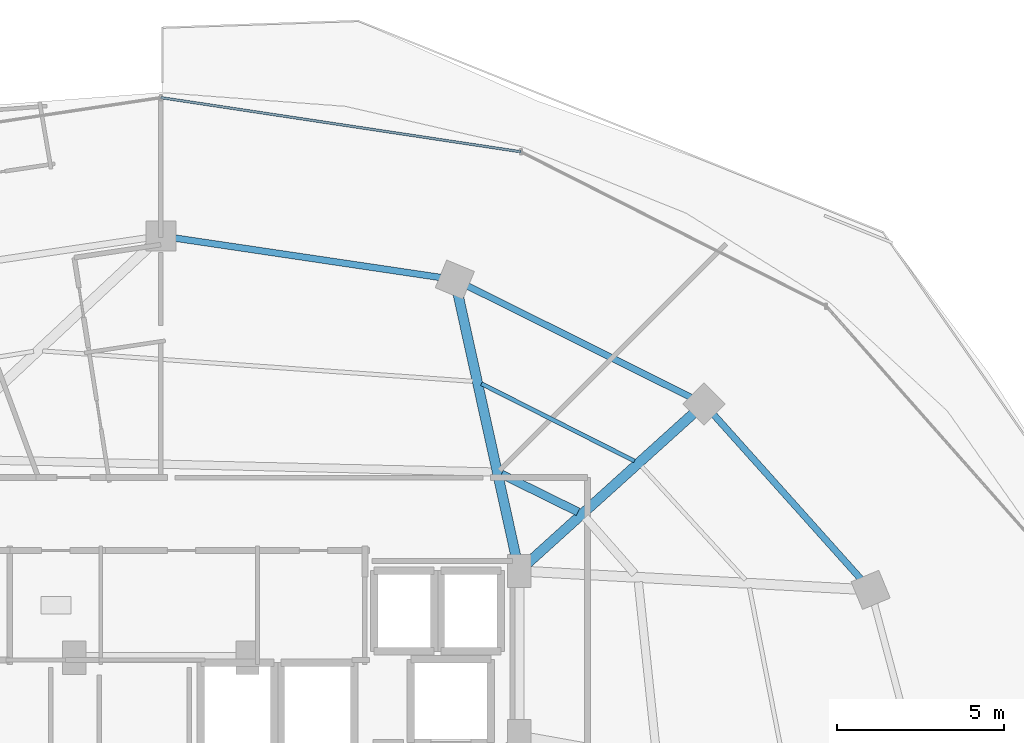
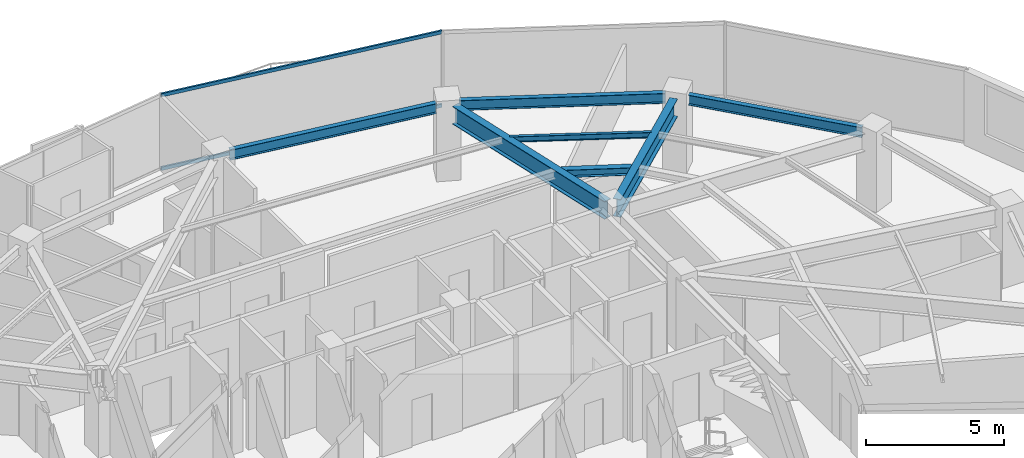
# One storey, part 20 of 33: 7 beams, 2 members, 1 element without a shape of its own.
"""IFC4 building model written with IfcOpenShell, lengths in metres."""

from ifc_helpers import new_model, si_unit, direction, frame, origin, origin_2d, place, context, subcontext, project, spatial, hollow_rectangle, i_section, extrude, material, material_profile, profile_set, type_object, element, aggregate, save


model = new_model("IFC4")

# Units and contexts
model_context = context("Model", 3, precision=1e-05, world=origin(), true_north=direction((0.0, 1.0)))
body_context = subcontext(model_context, "Body", "Model", "MODEL_VIEW")
ifc_project = project(units=[si_unit("LENGTHUNIT", "METRE"), si_unit("AREAUNIT", "SQUARE_METRE"), si_unit("VOLUMEUNIT", "CUBIC_METRE"), si_unit("PLANEANGLEUNIT", "RADIAN"), si_unit("MASSUNIT", "GRAM", prefix="KILO")], contexts=[model_context])

# Site, building, storey
site_placement = place(None, origin())
site = spatial("IfcSite", under=ifc_project, at=site_placement, CompositionType="ELEMENT")
building_placement = place(site_placement, origin())
building = spatial("IfcBuilding", under=site, at=building_placement, Name="Vorneva Point Tower", CompositionType="ELEMENT")
storey_placement = place(building_placement, frame((0.0, 0.0, 200.10009765625)))
storey = spatial("IfcBuildingStorey", under=building, at=storey_placement, Name="L54", CompositionType="ELEMENT", Elevation=200.10009765625)

# Beams
ifc_material_1 = material(Name="Steel S355", Category="steel")
ifc_material_profile_1 = material_profile(ifc_material_1, i_section(OverallWidth=0.300048828125, OverallDepth=0.7880859375, WebThickness=0.014404296875, FlangeThickness=0.02197265625, at=origin_2d()), Name="80Sh1")
ifc_profile_set_1 = profile_set([ifc_material_profile_1], Name="Steel S355")
beam_type_1 = type_object("IfcBeamType", Name="BM-GRD-80Sh1", PredefinedType="USERDEFINED", material=ifc_profile_set_1)
beam_1_placement = place(storey_placement, frame((53.973876953125, 37.86865234375, 2.89599609375), z_axis=(-0.742089778537, -0.670300500217, 0.0), x_axis=(0.670300500217, -0.742089778537, 0.0)))
element("IfcBeam", 1, at=beam_1_placement, inside=storey, type_object=beam_type_1, Name="L54 Radial Primary Girder 03", ObjectType="GIRDER", PredefinedType="USERDEFINED", context=body_context, shape_type="SweptSolid", body=[
    extrude(i_section(OverallWidth=0.300048828125, OverallDepth=0.7880859375, WebThickness=0.014404296875, FlangeThickness=0.02197265625, at=origin_2d()), origin(), (0.0, 0.0, 1.0), 6.699462890625),
])
beam_2_placement = place(storey_placement, frame((46.915283203125, 41.462890625, 2.89599609375), z_axis=(0.215522758292, -0.976498817541, 0.0), x_axis=(0.976498817541, 0.215522758292, 0.0)))
element("IfcBeam", 2, at=beam_2_placement, inside=storey, type_object=beam_type_1, Name="L54 Radial Primary Girder 04", ObjectType="GIRDER", PredefinedType="USERDEFINED", context=body_context, shape_type="SweptSolid", body=[
    extrude(i_section(OverallWidth=0.300048828125, OverallDepth=0.7880859375, WebThickness=0.014404296875, FlangeThickness=0.02197265625, at=origin_2d()), origin(), (0.0, 0.0, 1.0), 8.173095703125),
])
ifc_material_profile_2 = material_profile(ifc_material_1, i_section(OverallWidth=0.1240234375, OverallDepth=0.248046875, WebThickness=0.0048828125, FlangeThickness=0.008056640625, at=origin_2d()), Name="25B1")
ifc_profile_set_2 = profile_set([ifc_material_profile_2], Name="Steel S355")
beam_type_2 = type_object("IfcBeamType", Name="BM-JST-25B1", PredefinedType="JOIST", material=ifc_profile_set_2)
beam_3_placement = place(storey_placement, frame((52.2099609375, 36.448974609375, 3.166015625), z_axis=(-0.892634985647, 0.450780192997, 0.0), x_axis=(-0.450780192997, -0.892634985647, 0.0)))
element("IfcBeam", 3, at=beam_3_placement, inside=storey, type_object=beam_type_2, Name="L54 Secondary Floor Beam 1.03", PredefinedType="JOIST", context=body_context, shape_type="SweptSolid", body=[
    extrude(i_section(OverallWidth=0.1240234375, OverallDepth=0.248046875, WebThickness=0.0048828125, FlangeThickness=0.008056640625, at=origin_2d()), origin(), (0.0, 0.0, 1.0), 5.142333984375),
])
ifc_material_profile_3 = material_profile(ifc_material_1, i_section(OverallWidth=0.2490234375, OverallDepth=0.333984375, WebThickness=0.008056640625, FlangeThickness=0.010986328125, at=origin_2d()), Name="35Sh1")
ifc_profile_set_3 = profile_set([ifc_material_profile_3], Name="Steel S355")
beam_type_3 = type_object("IfcBeamType", Name="BM-SEC-35Sh1", PredefinedType="BEAM", material=ifc_profile_set_3)
beam_4_placement = place(storey_placement, frame((50.51904296875, 34.9208984375, 3.122802734375), z_axis=(-0.896926742139, 0.442179170965, 0.0), x_axis=(-0.442179170965, -0.896926742139, 0.0)))
element("IfcBeam", 4, at=beam_4_placement, inside=storey, type_object=beam_type_3, Name="L54 Secondary Floor Beam 2.03", PredefinedType="BEAM", context=body_context, shape_type="SweptSolid", body=[
    extrude(i_section(OverallWidth=0.2490234375, OverallDepth=0.333984375, WebThickness=0.008056640625, FlangeThickness=0.010986328125, at=origin_2d()), origin(), (0.0, 0.0, 1.0), 2.564208984375),
])
ifc_material_profile_4 = material_profile(ifc_material_1, i_section(OverallWidth=0.198974609375, OverallDepth=0.446044921875, WebThickness=0.008056640625, FlangeThickness=0.011962890625, at=origin_2d()), Name="45B1")
ifc_profile_set_4 = profile_set([ifc_material_profile_4], Name="Steel S355")
beam_type_4 = type_object("IfcBeamType", Name="BM-SPN-45B1", PredefinedType="SPANDREL", material=ifc_profile_set_4)
beam_5_placement = place(storey_placement, frame((59.005126953125, 32.90625, 3.06689453125), z_axis=(-0.66706970547, 0.744995307397, 0.0), x_axis=(-0.744995307397, -0.66706970547, 0.0)))
element("IfcBeam", 5, at=beam_5_placement, inside=storey, type_object=beam_type_4, Name="L54 Perimeter Spandrel Ring Beam 02", PredefinedType="SPANDREL", context=body_context, shape_type="SweptSolid", body=[
    extrude(i_section(OverallWidth=0.198974609375, OverallDepth=0.446044921875, WebThickness=0.008056640625, FlangeThickness=0.011962890625, at=origin_2d()), origin(), (0.0, 0.0, 1.0), 6.6201171875),
])
beam_6_placement = place(storey_placement, frame((53.909423828125, 38.356201171875, 3.06689453125), z_axis=(-0.894922371084, 0.446221861559, 0.0), x_axis=(-0.446221861559, -0.894922371084, 0.0)))
element("IfcBeam", 6, at=beam_6_placement, inside=storey, type_object=beam_type_4, Name="L54 Perimeter Spandrel Ring Beam 03", PredefinedType="SPANDREL", context=body_context, shape_type="SweptSolid", body=[
    extrude(i_section(OverallWidth=0.198974609375, OverallDepth=0.446044921875, WebThickness=0.008056640625, FlangeThickness=0.011962890625, at=origin_2d()), origin(), (0.0, 0.0, 1.0), 7.48583984375),
])
beam_7_placement = place(storey_placement, frame((46.390625, 41.95458984375, 3.06689453125), z_axis=(-0.989165476332, 0.146804837907, 0.0), x_axis=(-0.146804837907, -0.989165476332, 0.0)))
element("IfcBeam", 7, at=beam_7_placement, inside=storey, type_object=beam_type_4, Name="L54 Perimeter Spandrel Ring Beam 04", PredefinedType="SPANDREL", context=body_context, shape_type="SweptSolid", body=[
    extrude(i_section(OverallWidth=0.198974609375, OverallDepth=0.446044921875, WebThickness=0.008056640625, FlangeThickness=0.011962890625, at=origin_2d()), origin(), (0.0, 0.0, 1.0), 8.04736328125),
])

# Curtain wall, members
ifc_material_2 = material(Name="Pale anodised aluminium", Category="aluminium")
curtain_wall_type = type_object("IfcCurtainWallType", Name="CW-RES-SYS", PredefinedType="NOTDEFINED", material=ifc_material_2)
curtain_wall_placement = place(storey_placement, origin())
curtain_wall = element("IfcCurtainWall", 8, at=curtain_wall_placement, inside=storey, type_object=curtain_wall_type, Name="L54 Unitised Curtain Wall CW-L54-R01", PredefinedType="NOTDEFINED")
ifc_material_profile_5 = material_profile(ifc_material_2, hollow_rectangle(XDim=0.074951171875, YDim=0.14990234375, WallThickness=0.00390625, at=origin_2d()), Name="AL-TRN 150x75x4")
ifc_profile_set_5 = profile_set([ifc_material_profile_5], Name="Pale anodised aluminium")
member_type = type_object("IfcMemberType", Name="CW-TRN-150", PredefinedType="USERDEFINED", material=ifc_profile_set_5)
member_1_placement = place(storey_placement, frame((48.80322265625, 45.724853515625, 0.02001953125), z_axis=(-0.988872333273, 0.148766624239, 0.0), x_axis=(-0.148766624239, -0.988872333273, 0.0)))
member_1 = element("IfcMember", 9, at=member_1_placement, type_object=member_type, Name="CW-L54-R01 Transom 03.1", ObjectType="TRANSOM", PredefinedType="USERDEFINED", context=body_context, shape_type="SweptSolid", body=[
    extrude(hollow_rectangle(XDim=0.074951171875, YDim=0.14990234375, WallThickness=0.00390625, at=origin_2d()), origin(), (0.0, 0.0, 1.0), 10.9248046875),
])
member_2_placement = place(storey_placement, frame((48.80322265625, 45.724853515625, 3.27001953125), z_axis=(-0.988872333273, 0.148766624239, 0.0), x_axis=(-0.148766624239, -0.988872333273, 0.0)))
member_2 = element("IfcMember", 10, at=member_2_placement, type_object=member_type, Name="CW-L54-R01 Transom 03.2", ObjectType="TRANSOM", PredefinedType="USERDEFINED", context=body_context, shape_type="SweptSolid", body=[
    extrude(hollow_rectangle(XDim=0.074951171875, YDim=0.14990234375, WallThickness=0.00390625, at=origin_2d()), origin(), (0.0, 0.0, 1.0), 10.9248046875),
])
aggregate(curtain_wall, [member_1, member_2])

save(model, "model.ifc")
